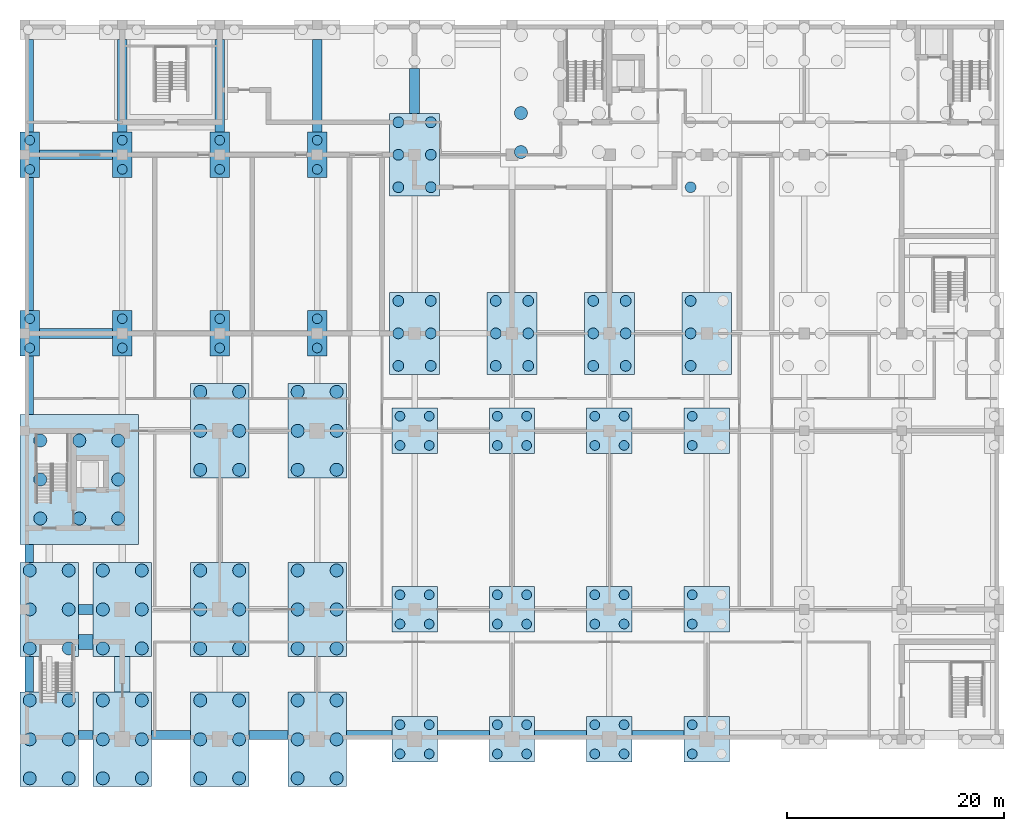
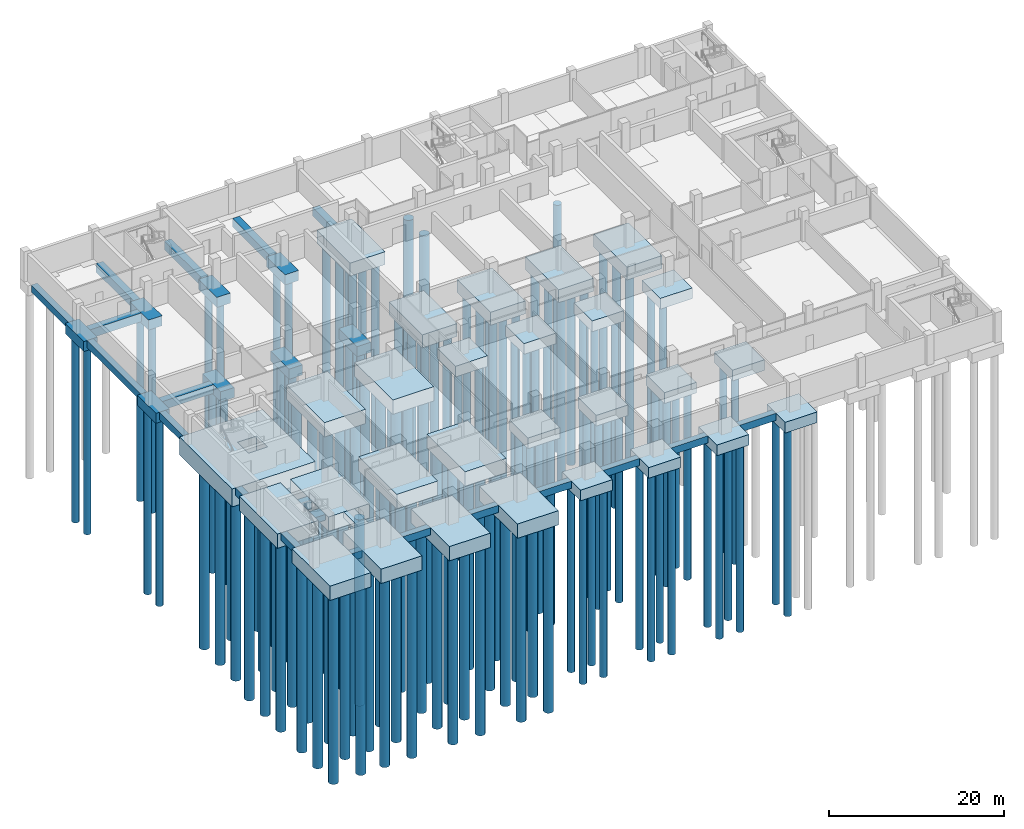
# One storey, part 1 of 15: 156 piles, 57 footings.
"""IFC4 building model written with IfcOpenShell, lengths in metres."""

from ifc_helpers import new_model, si_unit, direction, frame, origin, origin_2d, place, context, subcontext, project, spatial, polyline, rectangle, circle, outline, extrude, material, material_profile, profile_set, type_object, element, save


model = new_model("IFC4")

# Units and contexts
model_context = context("Model", 3, precision=1e-05, world=origin(), true_north=direction((0.0, 1.0)))
body_context = subcontext(model_context, "Body", "Model", "MODEL_VIEW")
ifc_project = project(units=[si_unit("LENGTHUNIT", "METRE"), si_unit("AREAUNIT", "SQUARE_METRE"), si_unit("VOLUMEUNIT", "CUBIC_METRE"), si_unit("PLANEANGLEUNIT", "RADIAN"), si_unit("MASSUNIT", "GRAM", prefix="KILO")], contexts=[model_context])

# Site, building, storey
site_placement = place(None, origin())
site = spatial("IfcSite", under=ifc_project, at=site_placement, CompositionType="ELEMENT")
building_placement = place(site_placement, origin())
building = spatial("IfcBuilding", under=site, at=building_placement, Name="Aurelan Courthouse", CompositionType="ELEMENT")
storey_placement = place(building_placement, frame((0.0, 0.0, -8.39990234375)))
storey = spatial("IfcBuildingStorey", under=building, at=storey_placement, Name="B2", CompositionType="ELEMENT", Elevation=-8.39990234375)

# Piles
ifc_material = material(Name="Concrete C35", Category="concrete")
ifc_material_profile_1 = material_profile(ifc_material, circle(Radius=0.5, at=origin_2d()), Name="D1000")
ifc_profile_set_1 = profile_set([ifc_material_profile_1], Name="Concrete C35")
pile_type_1 = type_object("IfcPileType", Name="Bored pile D1000", PredefinedType="BORED", material=ifc_profile_set_1)
for number, where, z_axis, x_axis, name in (
    (1, (34.5, 34.5, -1.800048828125), (0.0, 0.0, -1.0), (1.0, 0.0, 0.0), "Bored pile PC-D5-01"),
    (2, (37.5, 34.5, -1.800048828125), (0.0, 0.0, -1.0), (1.0, 0.0, 0.0), "Bored pile PC-D5-02"),
    (3, (34.5, 37.5, -1.800048828125), (0.0, 0.0, -1.0), (1.0, 0.0, 0.0), "Bored pile PC-D5-03"),
    (4, (37.5, 37.5, -1.800048828125), (0.0, 0.0, -1.0), (1.0, 0.0, 0.0), "Bored pile PC-D5-04"),
    (5, (34.5, 40.5, -1.800048828125), (0.0, 0.0, -1.0), (1.0, 0.0, 0.0), "Bored pile PC-D5-05"),
    (6, (37.5, 40.5, -1.800048828125), (0.0, 0.0, -1.0), (1.0, 0.0, 0.0), "Bored pile PC-D5-06"),
    (7, (43.5, 34.5, -1.800048828125), (0.0, 0.0, -1.0), (1.0, 0.0, 0.0), "Bored pile PC-D6-01"),
    (8, (46.5, 34.5, -1.800048828125), (0.0, 0.0, -1.0), (1.0, 0.0, 0.0), "Bored pile PC-D6-02"),
    (9, (43.5, 37.5, -1.800048828125), (0.0, 0.0, -1.0), (1.0, 0.0, 0.0), "Bored pile PC-D6-03"),
    (10, (46.5, 37.5, -1.800048828125), (0.0, 0.0, -1.0), (1.0, 0.0, 0.0), "Bored pile PC-D6-04"),
    (11, (43.5, 40.5, -1.800048828125), (0.0, 0.0, -1.0), (1.0, 0.0, 0.0), "Bored pile PC-D6-05"),
    (12, (46.5, 40.5, -1.800048828125), (0.0, 0.0, -1.0), (1.0, 0.0, 0.0), "Bored pile PC-D6-06"),
    (13, (52.5, 34.5, -1.800048828125), (0.0, 0.0, -1.0), (1.0, 0.0, 0.0), "Bored pile PC-D7-01"),
    (14, (55.5, 34.5, -1.800048828125), (0.0, 0.0, -1.0), (1.0, 0.0, 0.0), "Bored pile PC-D7-02"),
    (15, (52.5, 37.5, -1.800048828125), (0.0, 0.0, -1.0), (1.0, 0.0, 0.0), "Bored pile PC-D7-03"),
    (16, (55.5, 37.5, -1.800048828125), (0.0, 0.0, -1.0), (1.0, 0.0, 0.0), "Bored pile PC-D7-04"),
    (17, (52.5, 40.5, -1.800048828125), (0.0, 0.0, -1.0), (1.0, 0.0, 0.0), "Bored pile PC-D7-05"),
    (18, (55.5, 40.5, -1.800048828125), (0.0, 0.0, -1.0), (1.0, 0.0, 0.0), "Bored pile PC-D7-06"),
    (19, (61.5, 34.5, -1.800048828125), (0.0, 0.0, -1.0), (1.0, 0.0, 0.0), "Bored pile PC-D8-01"),
    (20, (61.5, 37.5, -1.800048828125), (0.0, 0.0, -1.0), (1.0, 0.0, 0.0), "Bored pile PC-D8-03"),
    (21, (61.5, 40.5, -1.800048828125), (0.0, 0.0, -1.0), (1.0, 0.0, 0.0), "Bored pile PC-D8-05"),
    (22, (34.5, 51.0, -1.800048828125), (0.0, 0.0, -1.0), (1.0, 0.0, 0.0), "Bored pile PC-E5-01"),
    (23, (37.5, 51.0, -1.800048828125), (0.0, 0.0, -1.0), (1.0, 0.0, 0.0), "Bored pile PC-E5-02"),
    (24, (34.5, 54.0, -1.800048828125), (0.0, 0.0, -1.0), (1.0, 0.0, 0.0), "Bored pile PC-E5-03"),
    (25, (37.5, 54.0, -1.800048828125), (0.0, 0.0, -1.0), (1.0, 0.0, 0.0), "Bored pile PC-E5-04"),
    (26, (34.5, 57.0, -1.800048828125), (0.0, 0.0, -1.0), (1.0, 0.0, 0.0), "Bored pile PC-E5-05"),
    (27, (37.5, 57.0, -1.800048828125), (0.0, 0.0, -1.0), (1.0, 0.0, 0.0), "Bored pile PC-E5-06"),
    (28, (61.5, 51.0, -1.800048828125), (0.0, 0.0, -1.0), (1.0, 0.0, 0.0), "Bored pile PC-E8-01"),
):
    element("IfcPile", number, at=place(storey_placement, frame(where, z_axis=z_axis, x_axis=x_axis)), inside=storey, type_object=pile_type_1, Name=name, PredefinedType="BORED", context=body_context, shape_type="SweptSolid", body=[
        extrude(circle(Radius=0.5, at=origin_2d()), origin(), (0.0, 0.0, 1.0), 26.0),
    ])
ifc_material_profile_2 = material_profile(ifc_material, circle(Radius=0.60009765625, at=origin_2d()), Name="D1200")
ifc_profile_set_2 = profile_set([ifc_material_profile_2], Name="Concrete C35")
pile_type_2 = type_object("IfcPileType", Name="Bored pile D1200", PredefinedType="BORED", material=ifc_profile_set_2)
for number, where, z_axis, x_axis, name in (
    (29, (0.449951171875, -3.60009765625, -2.0), (0.0, 0.0, -1.0), (1.0, 0.0, 0.0), "Bored pile PC-A1-01"),
    (30, (4.050048828125, -3.60009765625, -2.0), (0.0, 0.0, -1.0), (1.0, 0.0, 0.0), "Bored pile PC-A1-02"),
    (31, (0.449951171875, 0.0, -2.0), (0.0, 0.0, -1.0), (1.0, 0.0, 0.0), "Bored pile PC-A1-03"),
    (32, (4.050048828125, 0.0, -2.0), (0.0, 0.0, -1.0), (1.0, 0.0, 0.0), "Bored pile PC-A1-04"),
    (33, (0.449951171875, 3.60009765625, -2.0), (0.0, 0.0, -1.0), (1.0, 0.0, 0.0), "Bored pile PC-A1-05"),
    (34, (4.050048828125, 3.60009765625, -2.0), (0.0, 0.0, -1.0), (1.0, 0.0, 0.0), "Bored pile PC-A1-06"),
    (35, (7.199951171875, -3.60009765625, -2.0), (0.0, 0.0, -1.0), (1.0, 0.0, 0.0), "Bored pile PC-A2-01"),
    (36, (10.800048828125, -3.60009765625, -2.0), (0.0, 0.0, -1.0), (1.0, 0.0, 0.0), "Bored pile PC-A2-02"),
    (37, (7.199951171875, 0.0, -2.0), (0.0, 0.0, -1.0), (1.0, 0.0, 0.0), "Bored pile PC-A2-03"),
    (38, (10.800048828125, 0.0, -2.0), (0.0, 0.0, -1.0), (1.0, 0.0, 0.0), "Bored pile PC-A2-04"),
    (39, (7.199951171875, 3.60009765625, -2.0), (0.0, 0.0, -1.0), (1.0, 0.0, 0.0), "Bored pile PC-A2-05"),
    (40, (10.800048828125, 3.60009765625, -2.0), (0.0, 0.0, -1.0), (1.0, 0.0, 0.0), "Bored pile PC-A2-06"),
    (41, (16.199951171875, -3.60009765625, -2.0), (0.0, 0.0, -1.0), (1.0, 0.0, 0.0), "Bored pile PC-A3-01"),
    (42, (19.800048828125, -3.60009765625, -2.0), (0.0, 0.0, -1.0), (1.0, 0.0, 0.0), "Bored pile PC-A3-02"),
    (43, (16.199951171875, 0.0, -2.0), (0.0, 0.0, -1.0), (1.0, 0.0, 0.0), "Bored pile PC-A3-03"),
    (44, (19.800048828125, 0.0, -2.0), (0.0, 0.0, -1.0), (1.0, 0.0, 0.0), "Bored pile PC-A3-04"),
    (45, (16.199951171875, 3.60009765625, -2.0), (0.0, 0.0, -1.0), (1.0, 0.0, 0.0), "Bored pile PC-A3-05"),
    (46, (19.800048828125, 3.60009765625, -2.0), (0.0, 0.0, -1.0), (1.0, 0.0, 0.0), "Bored pile PC-A3-06"),
    (47, (25.199951171875, -3.60009765625, -2.0), (0.0, 0.0, -1.0), (1.0, 0.0, 0.0), "Bored pile PC-A4-01"),
    (48, (28.800048828125, -3.60009765625, -2.0), (0.0, 0.0, -1.0), (1.0, 0.0, 0.0), "Bored pile PC-A4-02"),
    (49, (25.199951171875, 0.0, -2.0), (0.0, 0.0, -1.0), (1.0, 0.0, 0.0), "Bored pile PC-A4-03"),
    (50, (28.800048828125, 0.0, -2.0), (0.0, 0.0, -1.0), (1.0, 0.0, 0.0), "Bored pile PC-A4-04"),
    (51, (25.199951171875, 3.60009765625, -2.0), (0.0, 0.0, -1.0), (1.0, 0.0, 0.0), "Bored pile PC-A4-05"),
    (52, (28.800048828125, 3.60009765625, -2.0), (0.0, 0.0, -1.0), (1.0, 0.0, 0.0), "Bored pile PC-A4-06"),
    (53, (0.449951171875, 8.39990234375, -2.0), (0.0, 0.0, -1.0), (1.0, 0.0, 0.0), "Bored pile PC-B1-01"),
    (54, (4.050048828125, 8.39990234375, -2.0), (0.0, 0.0, -1.0), (1.0, 0.0, 0.0), "Bored pile PC-B1-02"),
    (55, (0.449951171875, 12.0, -2.0), (0.0, 0.0, -1.0), (1.0, 0.0, 0.0), "Bored pile PC-B1-03"),
    (56, (4.050048828125, 12.0, -2.0), (0.0, 0.0, -1.0), (1.0, 0.0, 0.0), "Bored pile PC-B1-04"),
    (57, (0.449951171875, 15.60009765625, -2.0), (0.0, 0.0, -1.0), (1.0, 0.0, 0.0), "Bored pile PC-B1-05"),
    (58, (4.050048828125, 15.60009765625, -2.0), (0.0, 0.0, -1.0), (1.0, 0.0, 0.0), "Bored pile PC-B1-06"),
    (59, (7.199951171875, 8.39990234375, -2.0), (0.0, 0.0, -1.0), (1.0, 0.0, 0.0), "Bored pile PC-B2-01"),
    (60, (10.800048828125, 8.39990234375, -2.0), (0.0, 0.0, -1.0), (1.0, 0.0, 0.0), "Bored pile PC-B2-02"),
    (61, (7.199951171875, 12.0, -2.0), (0.0, 0.0, -1.0), (1.0, 0.0, 0.0), "Bored pile PC-B2-03"),
    (62, (10.800048828125, 12.0, -2.0), (0.0, 0.0, -1.0), (1.0, 0.0, 0.0), "Bored pile PC-B2-04"),
    (63, (7.199951171875, 15.60009765625, -2.0), (0.0, 0.0, -1.0), (1.0, 0.0, 0.0), "Bored pile PC-B2-05"),
    (64, (10.800048828125, 15.60009765625, -2.0), (0.0, 0.0, -1.0), (1.0, 0.0, 0.0), "Bored pile PC-B2-06"),
    (65, (16.199951171875, 8.39990234375, -2.0), (0.0, 0.0, -1.0), (1.0, 0.0, 0.0), "Bored pile PC-B3-01"),
    (66, (19.800048828125, 8.39990234375, -2.0), (0.0, 0.0, -1.0), (1.0, 0.0, 0.0), "Bored pile PC-B3-02"),
    (67, (16.199951171875, 12.0, -2.0), (0.0, 0.0, -1.0), (1.0, 0.0, 0.0), "Bored pile PC-B3-03"),
    (68, (19.800048828125, 12.0, -2.0), (0.0, 0.0, -1.0), (1.0, 0.0, 0.0), "Bored pile PC-B3-04"),
    (69, (16.199951171875, 15.60009765625, -2.0), (0.0, 0.0, -1.0), (1.0, 0.0, 0.0), "Bored pile PC-B3-05"),
    (70, (19.800048828125, 15.60009765625, -2.0), (0.0, 0.0, -1.0), (1.0, 0.0, 0.0), "Bored pile PC-B3-06"),
    (71, (25.199951171875, 8.39990234375, -2.0), (0.0, 0.0, -1.0), (1.0, 0.0, 0.0), "Bored pile PC-B4-01"),
    (72, (28.800048828125, 8.39990234375, -2.0), (0.0, 0.0, -1.0), (1.0, 0.0, 0.0), "Bored pile PC-B4-02"),
    (73, (25.199951171875, 12.0, -2.0), (0.0, 0.0, -1.0), (1.0, 0.0, 0.0), "Bored pile PC-B4-03"),
    (74, (28.800048828125, 12.0, -2.0), (0.0, 0.0, -1.0), (1.0, 0.0, 0.0), "Bored pile PC-B4-04"),
    (75, (25.199951171875, 15.60009765625, -2.0), (0.0, 0.0, -1.0), (1.0, 0.0, 0.0), "Bored pile PC-B4-05"),
    (76, (28.800048828125, 15.60009765625, -2.0), (0.0, 0.0, -1.0), (1.0, 0.0, 0.0), "Bored pile PC-B4-06"),
    (77, (16.199951171875, 24.89990234375, -2.0), (0.0, 0.0, -1.0), (1.0, 0.0, 0.0), "Bored pile PC-C3-01"),
    (78, (19.800048828125, 24.89990234375, -2.0), (0.0, 0.0, -1.0), (1.0, 0.0, 0.0), "Bored pile PC-C3-02"),
    (79, (16.199951171875, 28.5, -2.0), (0.0, 0.0, -1.0), (1.0, 0.0, 0.0), "Bored pile PC-C3-03"),
    (80, (19.800048828125, 28.5, -2.0), (0.0, 0.0, -1.0), (1.0, 0.0, 0.0), "Bored pile PC-C3-04"),
    (81, (16.199951171875, 32.10009765625, -2.0), (0.0, 0.0, -1.0), (1.0, 0.0, 0.0), "Bored pile PC-C3-05"),
    (82, (19.800048828125, 32.10009765625, -2.0), (0.0, 0.0, -1.0), (1.0, 0.0, 0.0), "Bored pile PC-C3-06"),
    (83, (25.199951171875, 24.89990234375, -2.0), (0.0, 0.0, -1.0), (1.0, 0.0, 0.0), "Bored pile PC-C4-01"),
    (84, (28.800048828125, 24.89990234375, -2.0), (0.0, 0.0, -1.0), (1.0, 0.0, 0.0), "Bored pile PC-C4-02"),
    (85, (25.199951171875, 28.5, -2.0), (0.0, 0.0, -1.0), (1.0, 0.0, 0.0), "Bored pile PC-C4-03"),
    (86, (28.800048828125, 28.5, -2.0), (0.0, 0.0, -1.0), (1.0, 0.0, 0.0), "Bored pile PC-C4-04"),
    (87, (25.199951171875, 32.10009765625, -2.0), (0.0, 0.0, -1.0), (1.0, 0.0, 0.0), "Bored pile PC-C4-05"),
    (88, (28.800048828125, 32.10009765625, -2.0), (0.0, 0.0, -1.0), (1.0, 0.0, 0.0), "Bored pile PC-C4-06"),
    (89, (1.425048828125, 20.39990234375, -2.5), (0.0, 0.0, -1.0), (1.0, 0.0, 0.0), "Bored pile PC-R5-01"),
    (90, (5.02490234375, 20.39990234375, -2.5), (0.0, 0.0, -1.0), (1.0, 0.0, 0.0), "Bored pile PC-R5-02"),
    (91, (8.625, 20.39990234375, -2.5), (0.0, 0.0, -1.0), (1.0, 0.0, 0.0), "Bored pile PC-R5-03"),
    (92, (1.425048828125, 24.0, -2.5), (0.0, 0.0, -1.0), (1.0, 0.0, 0.0), "Bored pile PC-R5-04"),
    (93, (8.625, 24.0, -2.5), (0.0, 0.0, -1.0), (1.0, 0.0, 0.0), "Bored pile PC-R5-05"),
    (94, (1.425048828125, 27.60009765625, -2.5), (0.0, 0.0, -1.0), (1.0, 0.0, 0.0), "Bored pile PC-R5-06"),
    (95, (5.02490234375, 27.60009765625, -2.5), (0.0, 0.0, -1.0), (1.0, 0.0, 0.0), "Bored pile PC-R5-07"),
    (96, (8.625, 27.60009765625, -2.5), (0.0, 0.0, -1.0), (1.0, 0.0, 0.0), "Bored pile PC-R5-08"),
    (97, (45.824951171875, 54.25, -2.5), (0.0, 0.0, -1.0), (1.0, 0.0, 0.0), "Bored pile PC-R2-01"),
    (98, (45.824951171875, 57.85009765625, -2.5), (0.0, 0.0, -1.0), (1.0, 0.0, 0.0), "Bored pile PC-R2-05"),
):
    element("IfcPile", number, at=place(storey_placement, frame(where, z_axis=z_axis, x_axis=x_axis)), inside=storey, type_object=pile_type_2, Name=name, PredefinedType="BORED", context=body_context, shape_type="SweptSolid", body=[
        extrude(circle(Radius=0.60009765625, at=origin_2d()), origin(), (0.0, 0.0, 1.0), 26.0),
    ])
ifc_material_profile_3 = material_profile(ifc_material, circle(Radius=0.449951171875, at=origin_2d()), Name="D900")
ifc_profile_set_3 = profile_set([ifc_material_profile_3], Name="Concrete C35")
pile_type_3 = type_object("IfcPileType", Name="Bored pile D900", PredefinedType="BORED", material=ifc_profile_set_3)
for number, where, z_axis, x_axis, name in (
    (99, (34.64990234375, -1.35009765625, -1.5), (0.0, 0.0, -1.0), (1.0, 0.0, 0.0), "Bored pile PC-A5-01"),
    (100, (37.35009765625, -1.35009765625, -1.5), (0.0, 0.0, -1.0), (1.0, 0.0, 0.0), "Bored pile PC-A5-02"),
    (101, (34.64990234375, 1.35009765625, -1.5), (0.0, 0.0, -1.0), (1.0, 0.0, 0.0), "Bored pile PC-A5-03"),
    (102, (37.35009765625, 1.35009765625, -1.5), (0.0, 0.0, -1.0), (1.0, 0.0, 0.0), "Bored pile PC-A5-04"),
    (103, (43.64990234375, -1.35009765625, -1.5), (0.0, 0.0, -1.0), (1.0, 0.0, 0.0), "Bored pile PC-A6-01"),
    (104, (46.35009765625, -1.35009765625, -1.5), (0.0, 0.0, -1.0), (1.0, 0.0, 0.0), "Bored pile PC-A6-02"),
    (105, (43.64990234375, 1.35009765625, -1.5), (0.0, 0.0, -1.0), (1.0, 0.0, 0.0), "Bored pile PC-A6-03"),
    (106, (46.35009765625, 1.35009765625, -1.5), (0.0, 0.0, -1.0), (1.0, 0.0, 0.0), "Bored pile PC-A6-04"),
    (107, (52.64990234375, -1.35009765625, -1.5), (0.0, 0.0, -1.0), (1.0, 0.0, 0.0), "Bored pile PC-A7-01"),
    (108, (55.35009765625, -1.35009765625, -1.5), (0.0, 0.0, -1.0), (1.0, 0.0, 0.0), "Bored pile PC-A7-02"),
    (109, (52.64990234375, 1.35009765625, -1.5), (0.0, 0.0, -1.0), (1.0, 0.0, 0.0), "Bored pile PC-A7-03"),
    (110, (55.35009765625, 1.35009765625, -1.5), (0.0, 0.0, -1.0), (1.0, 0.0, 0.0), "Bored pile PC-A7-04"),
    (111, (61.64990234375, -1.35009765625, -1.5), (0.0, 0.0, -1.0), (1.0, 0.0, 0.0), "Bored pile PC-A8-01"),
    (112, (61.64990234375, 1.35009765625, -1.5), (0.0, 0.0, -1.0), (1.0, 0.0, 0.0), "Bored pile PC-A8-03"),
    (113, (34.64990234375, 10.64990234375, -1.5), (0.0, 0.0, -1.0), (1.0, 0.0, 0.0), "Bored pile PC-B5-01"),
    (114, (37.35009765625, 10.64990234375, -1.5), (0.0, 0.0, -1.0), (1.0, 0.0, 0.0), "Bored pile PC-B5-02"),
    (115, (34.64990234375, 13.35009765625, -1.5), (0.0, 0.0, -1.0), (1.0, 0.0, 0.0), "Bored pile PC-B5-03"),
    (116, (37.35009765625, 13.35009765625, -1.5), (0.0, 0.0, -1.0), (1.0, 0.0, 0.0), "Bored pile PC-B5-04"),
    (117, (43.64990234375, 10.64990234375, -1.5), (0.0, 0.0, -1.0), (1.0, 0.0, 0.0), "Bored pile PC-B6-01"),
    (118, (46.35009765625, 10.64990234375, -1.5), (0.0, 0.0, -1.0), (1.0, 0.0, 0.0), "Bored pile PC-B6-02"),
    (119, (43.64990234375, 13.35009765625, -1.5), (0.0, 0.0, -1.0), (1.0, 0.0, 0.0), "Bored pile PC-B6-03"),
    (120, (46.35009765625, 13.35009765625, -1.5), (0.0, 0.0, -1.0), (1.0, 0.0, 0.0), "Bored pile PC-B6-04"),
    (121, (52.64990234375, 10.64990234375, -1.5), (0.0, 0.0, -1.0), (1.0, 0.0, 0.0), "Bored pile PC-B7-01"),
    (122, (55.35009765625, 10.64990234375, -1.5), (0.0, 0.0, -1.0), (1.0, 0.0, 0.0), "Bored pile PC-B7-02"),
    (123, (52.64990234375, 13.35009765625, -1.5), (0.0, 0.0, -1.0), (1.0, 0.0, 0.0), "Bored pile PC-B7-03"),
    (124, (55.35009765625, 13.35009765625, -1.5), (0.0, 0.0, -1.0), (1.0, 0.0, 0.0), "Bored pile PC-B7-04"),
    (125, (61.64990234375, 10.64990234375, -1.5), (0.0, 0.0, -1.0), (1.0, 0.0, 0.0), "Bored pile PC-B8-01"),
    (126, (61.64990234375, 13.35009765625, -1.5), (0.0, 0.0, -1.0), (1.0, 0.0, 0.0), "Bored pile PC-B8-03"),
    (127, (34.64990234375, 27.14990234375, -1.5), (0.0, 0.0, -1.0), (1.0, 0.0, 0.0), "Bored pile PC-C5-01"),
    (128, (37.35009765625, 27.14990234375, -1.5), (0.0, 0.0, -1.0), (1.0, 0.0, 0.0), "Bored pile PC-C5-02"),
    (129, (34.64990234375, 29.85009765625, -1.5), (0.0, 0.0, -1.0), (1.0, 0.0, 0.0), "Bored pile PC-C5-03"),
    (130, (37.35009765625, 29.85009765625, -1.5), (0.0, 0.0, -1.0), (1.0, 0.0, 0.0), "Bored pile PC-C5-04"),
    (131, (43.64990234375, 27.14990234375, -1.5), (0.0, 0.0, -1.0), (1.0, 0.0, 0.0), "Bored pile PC-C6-01"),
    (132, (46.35009765625, 27.14990234375, -1.5), (0.0, 0.0, -1.0), (1.0, 0.0, 0.0), "Bored pile PC-C6-02"),
    (133, (43.64990234375, 29.85009765625, -1.5), (0.0, 0.0, -1.0), (1.0, 0.0, 0.0), "Bored pile PC-C6-03"),
    (134, (46.35009765625, 29.85009765625, -1.5), (0.0, 0.0, -1.0), (1.0, 0.0, 0.0), "Bored pile PC-C6-04"),
    (135, (52.64990234375, 27.14990234375, -1.5), (0.0, 0.0, -1.0), (1.0, 0.0, 0.0), "Bored pile PC-C7-01"),
    (136, (55.35009765625, 27.14990234375, -1.5), (0.0, 0.0, -1.0), (1.0, 0.0, 0.0), "Bored pile PC-C7-02"),
    (137, (52.64990234375, 29.85009765625, -1.5), (0.0, 0.0, -1.0), (1.0, 0.0, 0.0), "Bored pile PC-C7-03"),
    (138, (55.35009765625, 29.85009765625, -1.5), (0.0, 0.0, -1.0), (1.0, 0.0, 0.0), "Bored pile PC-C7-04"),
    (139, (61.64990234375, 27.14990234375, -1.5), (0.0, 0.0, -1.0), (1.0, 0.0, 0.0), "Bored pile PC-C8-01"),
    (140, (61.64990234375, 29.85009765625, -1.5), (0.0, 0.0, -1.0), (1.0, 0.0, 0.0), "Bored pile PC-C8-03"),
    (141, (0.449951171875, 36.14990234375, -1.400146484375), (0.0, 0.0, -1.0), (1.0, 0.0, 0.0), "Bored pile PC-D1-01"),
    (142, (0.449951171875, 38.85009765625, -1.400146484375), (0.0, 0.0, -1.0), (1.0, 0.0, 0.0), "Bored pile PC-D1-02"),
    (143, (9.0, 36.14990234375, -1.400146484375), (0.0, 0.0, -1.0), (1.0, 0.0, 0.0), "Bored pile PC-D2-01"),
    (144, (9.0, 38.85009765625, -1.400146484375), (0.0, 0.0, -1.0), (1.0, 0.0, 0.0), "Bored pile PC-D2-02"),
    (145, (18.0, 36.14990234375, -1.400146484375), (0.0, 0.0, -1.0), (1.0, 0.0, 0.0), "Bored pile PC-D3-01"),
    (146, (18.0, 38.85009765625, -1.400146484375), (0.0, 0.0, -1.0), (1.0, 0.0, 0.0), "Bored pile PC-D3-02"),
    (147, (27.0, 36.14990234375, -1.400146484375), (0.0, 0.0, -1.0), (1.0, 0.0, 0.0), "Bored pile PC-D4-01"),
    (148, (27.0, 38.85009765625, -1.400146484375), (0.0, 0.0, -1.0), (1.0, 0.0, 0.0), "Bored pile PC-D4-02"),
    (149, (0.449951171875, 52.64990234375, -1.400146484375), (0.0, 0.0, -1.0), (1.0, 0.0, 0.0), "Bored pile PC-E1-01"),
    (150, (0.449951171875, 55.35009765625, -1.400146484375), (0.0, 0.0, -1.0), (1.0, 0.0, 0.0), "Bored pile PC-E1-02"),
    (151, (9.0, 52.64990234375, -1.400146484375), (0.0, 0.0, -1.0), (1.0, 0.0, 0.0), "Bored pile PC-E2-01"),
    (152, (9.0, 55.35009765625, -1.400146484375), (0.0, 0.0, -1.0), (1.0, 0.0, 0.0), "Bored pile PC-E2-02"),
    (153, (18.0, 52.64990234375, -1.400146484375), (0.0, 0.0, -1.0), (1.0, 0.0, 0.0), "Bored pile PC-E3-01"),
    (154, (18.0, 55.35009765625, -1.400146484375), (0.0, 0.0, -1.0), (1.0, 0.0, 0.0), "Bored pile PC-E3-02"),
    (155, (27.0, 52.64990234375, -1.400146484375), (0.0, 0.0, -1.0), (1.0, 0.0, 0.0), "Bored pile PC-E4-01"),
    (156, (27.0, 55.35009765625, -1.400146484375), (0.0, 0.0, -1.0), (1.0, 0.0, 0.0), "Bored pile PC-E4-02"),
):
    element("IfcPile", number, at=place(storey_placement, frame(where, z_axis=z_axis, x_axis=x_axis)), inside=storey, type_object=pile_type_3, Name=name, PredefinedType="BORED", context=body_context, shape_type="SweptSolid", body=[
        extrude(circle(Radius=0.449951171875, at=origin_2d()), origin(), (0.0, 0.0, 1.0), 26.0),
    ])

# Footings
footing_type_1 = type_object("IfcFootingType", Name="Pile cap four piles 4200 x 4200 x 1500", PredefinedType="PILE_CAP", material=ifc_material)
for number, where, z_axis, x_axis, name in (
    (157, (36.0, 0.0, -1.5), (0.0, 0.0, 1.0), (1.0, 0.0, 0.0), "Pile cap PC-A5"),
    (158, (45.0, 0.0, -1.5), (0.0, 0.0, 1.0), (1.0, 0.0, 0.0), "Pile cap PC-A6"),
    (159, (54.0, 0.0, -1.5), (0.0, 0.0, 1.0), (1.0, 0.0, 0.0), "Pile cap PC-A7"),
    (160, (63.0, 0.0, -1.5), (0.0, 0.0, 1.0), (1.0, 0.0, 0.0), "Pile cap PC-A8"),
    (161, (36.0, 12.0, -1.5), (0.0, 0.0, 1.0), (1.0, 0.0, 0.0), "Pile cap PC-B5"),
    (162, (45.0, 12.0, -1.5), (0.0, 0.0, 1.0), (1.0, 0.0, 0.0), "Pile cap PC-B6"),
    (163, (54.0, 12.0, -1.5), (0.0, 0.0, 1.0), (1.0, 0.0, 0.0), "Pile cap PC-B7"),
    (164, (63.0, 12.0, -1.5), (0.0, 0.0, 1.0), (1.0, 0.0, 0.0), "Pile cap PC-B8"),
    (165, (36.0, 28.5, -1.5), (0.0, 0.0, 1.0), (1.0, 0.0, 0.0), "Pile cap PC-C5"),
    (166, (45.0, 28.5, -1.5), (0.0, 0.0, 1.0), (1.0, 0.0, 0.0), "Pile cap PC-C6"),
    (167, (54.0, 28.5, -1.5), (0.0, 0.0, 1.0), (1.0, 0.0, 0.0), "Pile cap PC-C7"),
    (168, (63.0, 28.5, -1.5), (0.0, 0.0, 1.0), (1.0, 0.0, 0.0), "Pile cap PC-C8"),
):
    element("IfcFooting", number, at=place(storey_placement, frame(where, z_axis=z_axis, x_axis=x_axis)), inside=storey, type_object=footing_type_1, Name=name, PredefinedType="PILE_CAP", context=body_context, shape_type="SweptSolid", body=[
        extrude(rectangle(XDim=4.199951171875, YDim=4.199951171875, at=origin_2d()), origin(), (0.0, 0.0, 1.0), 1.5),
    ])
footing_type_2 = type_object("IfcFootingType", Name="Pile cap six piles 4600 x 7600 x 1800", PredefinedType="PILE_CAP", material=ifc_material)
for number, where, z_axis, x_axis, name in (
    (169, (36.0, 37.5, -1.80029296875), (0.0, 0.0, 1.0), (1.0, 0.0, 0.0), "Pile cap PC-D5"),
    (170, (45.0, 37.5, -1.80029296875), (0.0, 0.0, 1.0), (1.0, 0.0, 0.0), "Pile cap PC-D6"),
    (171, (54.0, 37.5, -1.80029296875), (0.0, 0.0, 1.0), (1.0, 0.0, 0.0), "Pile cap PC-D7"),
    (172, (63.0, 37.5, -1.80029296875), (0.0, 0.0, 1.0), (1.0, 0.0, 0.0), "Pile cap PC-D8"),
    (173, (36.0, 54.0, -1.80029296875), (0.0, 0.0, 1.0), (1.0, 0.0, 0.0), "Pile cap PC-E5"),
):
    element("IfcFooting", number, at=place(storey_placement, frame(where, z_axis=z_axis, x_axis=x_axis)), inside=storey, type_object=footing_type_2, Name=name, PredefinedType="PILE_CAP", context=body_context, shape_type="SweptSolid", body=[
        extrude(rectangle(XDim=4.60009765625, YDim=7.60009765625, at=origin_2d()), origin(), (0.0, 0.0, 1.0), 1.800048828125),
    ])
footing_type_3 = type_object("IfcFootingType", Name="Pile cap six piles 5400 x 8700 x 2000", PredefinedType="PILE_CAP", material=ifc_material)
for number, where, z_axis, x_axis, name in (
    (174, (2.25, 0.0, -2.0), (0.0, 0.0, 1.0), (1.0, 0.0, 0.0), "Pile cap PC-A1"),
    (175, (9.0, 0.0, -2.0), (0.0, 0.0, 1.0), (1.0, 0.0, 0.0), "Pile cap PC-A2"),
    (176, (18.0, 0.0, -2.0), (0.0, 0.0, 1.0), (1.0, 0.0, 0.0), "Pile cap PC-A3"),
    (177, (27.0, 0.0, -2.0), (0.0, 0.0, 1.0), (1.0, 0.0, 0.0), "Pile cap PC-A4"),
    (178, (2.25, 12.0, -2.0), (0.0, 0.0, 1.0), (1.0, 0.0, 0.0), "Pile cap PC-B1"),
    (179, (9.0, 12.0, -2.0), (0.0, 0.0, 1.0), (1.0, 0.0, 0.0), "Pile cap PC-B2"),
    (180, (18.0, 12.0, -2.0), (0.0, 0.0, 1.0), (1.0, 0.0, 0.0), "Pile cap PC-B3"),
    (181, (27.0, 12.0, -2.0), (0.0, 0.0, 1.0), (1.0, 0.0, 0.0), "Pile cap PC-B4"),
    (182, (18.0, 28.5, -2.0), (0.0, 0.0, 1.0), (1.0, 0.0, 0.0), "Pile cap PC-C3"),
    (183, (27.0, 28.5, -2.0), (0.0, 0.0, 1.0), (1.0, 0.0, 0.0), "Pile cap PC-C4"),
):
    element("IfcFooting", number, at=place(storey_placement, frame(where, z_axis=z_axis, x_axis=x_axis)), inside=storey, type_object=footing_type_3, Name=name, PredefinedType="PILE_CAP", context=body_context, shape_type="SweptSolid", body=[
        extrude(rectangle(XDim=5.39990234375, YDim=8.699951171875, at=origin_2d()), origin(), (0.0, 0.0, 1.0), 2.0),
    ])
footing_type_4 = type_object("IfcFootingType", Name="Pile cap two piles 4200 x 1800 x 1400", PredefinedType="PILE_CAP", material=ifc_material)
for number, where, z_axis, x_axis, name in (
    (184, (0.449951171875, 37.5, -1.400146484375), (0.0, 0.0, 1.0), (0.0, 1.0, 0.0), "Pile cap PC-D1"),
    (185, (9.0, 37.5, -1.400146484375), (0.0, 0.0, 1.0), (0.0, 1.0, 0.0), "Pile cap PC-D2"),
    (186, (18.0, 37.5, -1.400146484375), (0.0, 0.0, 1.0), (0.0, 1.0, 0.0), "Pile cap PC-D3"),
    (187, (27.0, 37.5, -1.400146484375), (0.0, 0.0, 1.0), (0.0, 1.0, 0.0), "Pile cap PC-D4"),
    (188, (0.449951171875, 54.0, -1.400146484375), (0.0, 0.0, 1.0), (0.0, 1.0, 0.0), "Pile cap PC-E1"),
    (189, (9.0, 54.0, -1.400146484375), (0.0, 0.0, 1.0), (0.0, 1.0, 0.0), "Pile cap PC-E2"),
    (190, (18.0, 54.0, -1.400146484375), (0.0, 0.0, 1.0), (0.0, 1.0, 0.0), "Pile cap PC-E3"),
    (191, (27.0, 54.0, -1.400146484375), (0.0, 0.0, 1.0), (0.0, 1.0, 0.0), "Pile cap PC-E4"),
):
    element("IfcFooting", number, at=place(storey_placement, frame(where, z_axis=z_axis, x_axis=x_axis)), inside=storey, type_object=footing_type_4, Name=name, PredefinedType="PILE_CAP", context=body_context, shape_type="SweptSolid", body=[
        extrude(rectangle(XDim=4.199951171875, YDim=1.800048828125, at=origin_2d()), origin(), (0.0, 0.0, 1.0), 1.39990234375),
    ])
footing_type_5 = type_object("IfcFootingType", Name="Raft 10950 x 12000 x 2500", PredefinedType="PILE_CAP", material=ifc_material)
footing_1_placement = place(storey_placement, frame((0.0, 0.0, -2.5)))
element("IfcFooting", 192, at=footing_1_placement, inside=storey, type_object=footing_type_5, Name="Core raft PC-R5", PredefinedType="PILE_CAP", context=body_context, shape_type="SweptSolid", body=[
    extrude(outline(polyline([(-0.449951171875, 18.0), (10.5, 18.0), (10.5, 30.0), (-0.449951171875, 30.0), (-0.449951171875, 18.0)]), holes=[polyline([(4.75, 23.25), (7.25, 23.25), (7.25, 25.75), (4.75, 25.75), (4.75, 23.25)])]), origin(), (0.0, 0.0, 1.0), 2.5),
])
footing_type_6 = type_object("IfcFootingType", Name="Strap footing 900 x 1200", PredefinedType="STRIP_FOOTING", material=ifc_material)
footing_2_placement = place(storey_placement, frame((5.625, 12.0, -1.2001953125), z_axis=(0.0, 0.0, 1.0), x_axis=(1.0, 0.0, 0.0)))
element("IfcFooting", 193, at=footing_2_placement, inside=storey, type_object=footing_type_6, Name="Strap PT-B1", PredefinedType="STRIP_FOOTING", context=body_context, shape_type="SweptSolid", body=[
    extrude(rectangle(XDim=1.35009765625, YDim=0.89990234375, at=origin_2d()), origin(), (0.0, 0.0, 1.0), 1.199951171875),
])
for number, where, z_axis, x_axis, name in (
    (194, (4.72509765625, 37.5, -1.2001953125), (0.0, 0.0, 1.0), (1.0, 0.0, 0.0), "Strap PT-D1"),
    (195, (4.72509765625, 54.0, -1.2001953125), (0.0, 0.0, 1.0), (1.0, 0.0, 0.0), "Strap PT-E1"),
):
    element("IfcFooting", number, at=place(storey_placement, frame(where, z_axis=z_axis, x_axis=x_axis)), inside=storey, type_object=footing_type_6, Name=name, PredefinedType="STRIP_FOOTING", context=body_context, shape_type="SweptSolid", body=[
        extrude(rectangle(XDim=6.75, YDim=0.89990234375, at=origin_2d()), origin(), (0.0, 0.0, 1.0), 1.199951171875),
    ])
for number, where, z_axis, x_axis, name in (
    (196, (9.0, 60.375, -1.2001953125), (0.0, 0.0, 1.0), (1.0, 0.0, 0.0), "Strap PT-F2"),
    (197, (18.0, 60.375, -1.2001953125), (0.0, 0.0, 1.0), (1.0, 0.0, 0.0), "Strap PT-F3"),
    (198, (27.0, 60.375, -1.2001953125), (0.0, 0.0, 1.0), (1.0, 0.0, 0.0), "Strap PT-F4"),
):
    element("IfcFooting", number, at=place(storey_placement, frame(where, z_axis=z_axis, x_axis=x_axis)), inside=storey, type_object=footing_type_6, Name=name, PredefinedType="STRIP_FOOTING", context=body_context, shape_type="SweptSolid", body=[
        extrude(rectangle(XDim=0.89990234375, YDim=8.550048828125, at=origin_2d()), origin(), (0.0, 0.0, 1.0), 1.199951171875),
    ])
footing_3_placement = place(storey_placement, frame((36.0, 59.875, -1.2001953125), z_axis=(0.0, 0.0, 1.0), x_axis=(1.0, 0.0, 0.0)))
element("IfcFooting", 199, at=footing_3_placement, inside=storey, type_object=footing_type_6, Name="Strap PT-F5", PredefinedType="STRIP_FOOTING", context=body_context, shape_type="SweptSolid", body=[
    extrude(rectangle(XDim=0.89990234375, YDim=4.14990234375, at=origin_2d()), origin(), (0.0, 0.0, 1.0), 1.199951171875),
])
footing_type_7 = type_object("IfcFootingType", Name="Strip footing 800 x 1000", PredefinedType="STRIP_FOOTING", material=ifc_material)
footing_4_placement = place(storey_placement, frame((5.625, 0.39990234375, -1.0), z_axis=(0.0, 0.0, 1.0), x_axis=(1.0, 0.0, 0.0)))
element("IfcFooting", 200, at=footing_4_placement, inside=storey, type_object=footing_type_7, Name="Strip footing GR-A1-A2", PredefinedType="STRIP_FOOTING", context=body_context, shape_type="SweptSolid", body=[
    extrude(rectangle(XDim=1.35009765625, YDim=0.800048828125, at=origin_2d()), origin(), (0.0, 0.0, 1.0), 1.0),
])
for number, where, z_axis, x_axis, name in (
    (201, (13.5, 0.39990234375, -1.0), (0.0, 0.0, 1.0), (1.0, 0.0, 0.0), "Strip footing GR-A2-A3"),
    (202, (22.5, 0.39990234375, -1.0), (0.0, 0.0, 1.0), (1.0, 0.0, 0.0), "Strip footing GR-A3-A4"),
):
    element("IfcFooting", number, at=place(storey_placement, frame(where, z_axis=z_axis, x_axis=x_axis)), inside=storey, type_object=footing_type_7, Name=name, PredefinedType="STRIP_FOOTING", context=body_context, shape_type="SweptSolid", body=[
        extrude(rectangle(XDim=3.60009765625, YDim=0.800048828125, at=origin_2d()), origin(), (0.0, 0.0, 1.0), 1.0),
    ])
footing_5_placement = place(storey_placement, frame((31.800048828125, 0.39990234375, -1.0), z_axis=(0.0, 0.0, 1.0), x_axis=(1.0, 0.0, 0.0)))
element("IfcFooting", 203, at=footing_5_placement, inside=storey, type_object=footing_type_7, Name="Strip footing GR-A4-A5", PredefinedType="STRIP_FOOTING", context=body_context, shape_type="SweptSolid", body=[
    extrude(rectangle(XDim=4.199951171875, YDim=0.800048828125, at=origin_2d()), origin(), (0.0, 0.0, 1.0), 1.0),
])
for number, where, z_axis, x_axis, name in (
    (204, (40.5, 0.39990234375, -1.0), (0.0, 0.0, 1.0), (1.0, 0.0, 0.0), "Strip footing GR-A5-A6"),
    (205, (49.5, 0.39990234375, -1.0), (0.0, 0.0, 1.0), (1.0, 0.0, 0.0), "Strip footing GR-A6-A7"),
    (206, (58.5, 0.39990234375, -1.0), (0.0, 0.0, 1.0), (1.0, 0.0, 0.0), "Strip footing GR-A7-A8"),
):
    element("IfcFooting", number, at=place(storey_placement, frame(where, z_axis=z_axis, x_axis=x_axis)), inside=storey, type_object=footing_type_7, Name=name, PredefinedType="STRIP_FOOTING", context=body_context, shape_type="SweptSolid", body=[
        extrude(rectangle(XDim=4.800048828125, YDim=0.800048828125, at=origin_2d()), origin(), (0.0, 0.0, 1.0), 1.0),
    ])
footing_6_placement = place(storey_placement, frame((0.39990234375, 6.0, -1.0), z_axis=(0.0, 0.0, 1.0), x_axis=(1.0, 0.0, 0.0)))
element("IfcFooting", 207, at=footing_6_placement, inside=storey, type_object=footing_type_7, Name="Strip footing GR-A1-B1", PredefinedType="STRIP_FOOTING", context=body_context, shape_type="SweptSolid", body=[
    extrude(rectangle(XDim=0.800048828125, YDim=3.300048828125, at=origin_2d()), origin(), (0.0, 0.0, 1.0), 1.0),
])
footing_7_placement = place(storey_placement, frame((0.39990234375, 17.175048828125, -1.0), z_axis=(0.0, 0.0, 1.0), x_axis=(1.0, 0.0, 0.0)))
element("IfcFooting", 208, at=footing_7_placement, inside=storey, type_object=footing_type_7, Name="Strip footing GR-B1-C1", PredefinedType="STRIP_FOOTING", context=body_context, shape_type="SweptSolid", body=[
    extrude(rectangle(XDim=0.800048828125, YDim=1.64990234375, at=origin_2d()), origin(), (0.0, 0.0, 1.0), 1.0),
])
footing_8_placement = place(storey_placement, frame((0.39990234375, 32.699951171875, -1.0), z_axis=(0.0, 0.0, 1.0), x_axis=(1.0, 0.0, 0.0)))
element("IfcFooting", 209, at=footing_8_placement, inside=storey, type_object=footing_type_7, Name="Strip footing GR-C1-D1", PredefinedType="STRIP_FOOTING", context=body_context, shape_type="SweptSolid", body=[
    extrude(rectangle(XDim=0.800048828125, YDim=5.39990234375, at=origin_2d()), origin(), (0.0, 0.0, 1.0), 1.0),
])
footing_9_placement = place(storey_placement, frame((0.39990234375, 45.75, -1.0), z_axis=(0.0, 0.0, 1.0), x_axis=(1.0, 0.0, 0.0)))
element("IfcFooting", 210, at=footing_9_placement, inside=storey, type_object=footing_type_7, Name="Strip footing GR-D1-E1", PredefinedType="STRIP_FOOTING", context=body_context, shape_type="SweptSolid", body=[
    extrude(rectangle(XDim=0.800048828125, YDim=12.300048828125, at=origin_2d()), origin(), (0.0, 0.0, 1.0), 1.0),
])
footing_10_placement = place(storey_placement, frame((0.39990234375, 60.375, -1.0), z_axis=(0.0, 0.0, 1.0), x_axis=(1.0, 0.0, 0.0)))
element("IfcFooting", 211, at=footing_10_placement, inside=storey, type_object=footing_type_7, Name="Strip footing GR-E1-F1", PredefinedType="STRIP_FOOTING", context=body_context, shape_type="SweptSolid", body=[
    extrude(rectangle(XDim=0.800048828125, YDim=8.550048828125, at=origin_2d()), origin(), (0.0, 0.0, 1.0), 1.0),
])
footing_type_8 = type_object("IfcFootingType", Name="Wall footing 1400 x 800", PredefinedType="STRIP_FOOTING", material=ifc_material)
footing_11_placement = place(storey_placement, frame((0.0, 0.0, -0.800048828125)))
element("IfcFooting", 212, at=footing_11_placement, inside=storey, type_object=footing_type_8, Name="Wall footing WF-02", PredefinedType="STRIP_FOOTING", context=body_context, shape_type="SweptSolid", body=[
    extrude(outline(polyline([(9.699951171875, 4.35009765625), (9.699951171875, 7.64990234375), (8.300048828125, 7.64990234375), (8.300048828125, 4.35009765625), (9.699951171875, 4.35009765625)])), origin(), (0.0, 0.0, 1.0), 0.800048828125),
])
footing_12_placement = place(storey_placement, frame((0.0, 0.0, -0.800048828125)))
element("IfcFooting", 213, at=footing_12_placement, inside=storey, type_object=footing_type_8, Name="Wall footing WF-03", PredefinedType="STRIP_FOOTING", context=body_context, shape_type="SweptSolid", body=[
    extrude(outline(polyline([(6.300048828125, 8.300048828125), (6.300048828125, 9.699951171875), (4.949951171875, 9.699951171875), (4.949951171875, 8.300048828125), (6.300048828125, 8.300048828125)])), origin(), (0.0, 0.0, 1.0), 0.800048828125),
])

save(model, "model.ifc")
